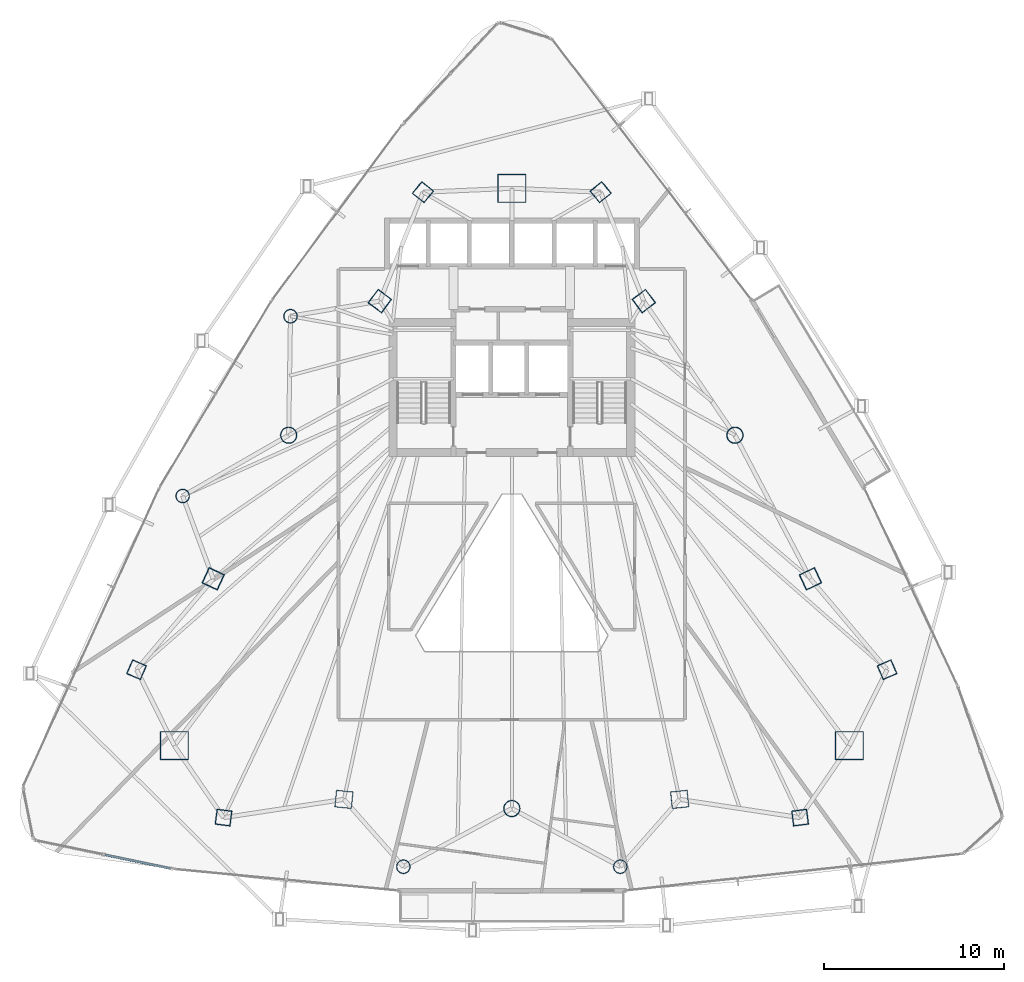
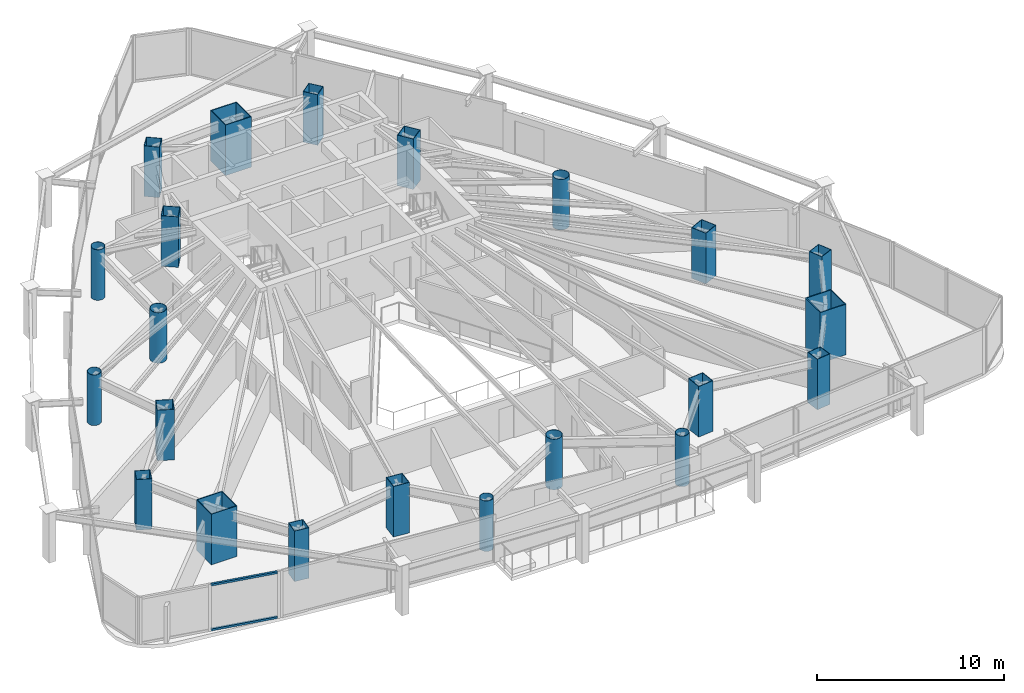
# One storey, part 1 of 33: 22 columns, 2 members, 1 element without a shape of its own.
"""IFC4 building model written with IfcOpenShell, lengths in metres."""

from ifc_helpers import new_model, si_unit, direction, frame, origin, origin_2d, place, context, subcontext, project, spatial, hollow_rectangle, hollow_circle, extrude, material, layer, layer_set, material_profile, profile_set, type_object, element, aggregate, save


model = new_model("IFC4")

# Units and contexts
model_context = context("Model", 3, precision=1e-05, world=origin(), true_north=direction((0.0, 1.0)))
body_context = subcontext(model_context, "Body", "Model", "MODEL_VIEW")
ifc_project = project(units=[si_unit("LENGTHUNIT", "METRE"), si_unit("AREAUNIT", "SQUARE_METRE"), si_unit("VOLUMEUNIT", "CUBIC_METRE"), si_unit("PLANEANGLEUNIT", "RADIAN"), si_unit("MASSUNIT", "GRAM", prefix="KILO")], contexts=[model_context])

# Site, building, storey
site_placement = place(None, origin())
site = spatial("IfcSite", under=ifc_project, at=site_placement, CompositionType="ELEMENT")
building_placement = place(site_placement, origin())
building = spatial("IfcBuilding", under=site, at=building_placement, Name="Orvanel Arch Residences", CompositionType="ELEMENT")
storey_placement = place(building_placement, frame((0.0, 0.0, 87.35009765625)))
storey = spatial("IfcBuildingStorey", under=building, at=storey_placement, Name="L24", CompositionType="ELEMENT", Elevation=87.35009765625)

# Columns
ifc_material_1 = material(Name="Structural steel AS/NZS 1163 C450L0 (Grade 450)", Category="steel")
ifc_material_profile_1 = material_profile(ifc_material_1, hollow_circle(Radius=0.381103515625, WallThickness=0.02197265625, at=origin_2d()), Name="CHS762x22")
ifc_profile_set_1 = profile_set([ifc_material_profile_1], Name="Structural steel AS/NZS 1163 C450L0 (Grade 450)")
column_type_1 = type_object("IfcColumnType", Name="CC-762", PredefinedType="COLUMN", material=ifc_profile_set_1)
for number, where, z_axis, x_axis, name in (
    (1, (20.669921875, 34.27099609375, 0.0), (0.0, 0.0, 1.0), (1.0, 0.0, 0.0), "L24 Low-Rise Buttress Tube Column 01"),
    (2, (14.662109375, 24.256103515625, 0.0), (0.0, 0.0, 1.0), (1.0, 0.0, 0.0), "L24 Low-Rise Buttress Tube Column 02"),
    (3, (26.9580078125, 3.60498046875, 0.0), (0.0, 0.0, 1.0), (1.0, 0.0, 0.0), "L24 Low-Rise Buttress Tube Column 03"),
    (4, (39.0419921875, 3.60498046875, 0.0), (0.0, 0.0, 1.0), (1.0, 0.0, 0.0), "L24 Low-Rise Buttress Tube Column 04"),
):
    element("IfcColumn", number, at=place(storey_placement, frame(where, z_axis=z_axis, x_axis=x_axis)), inside=storey, type_object=column_type_1, Name=name, PredefinedType="COLUMN", context=body_context, shape_type="SweptSolid", body=[
        extrude(hollow_circle(Radius=0.381103515625, WallThickness=0.02197265625, at=origin_2d()), origin(), (0.0, 0.0, 1.0), 3.2998046875),
    ])
ifc_material_profile_2 = material_profile(ifc_material_1, hollow_circle(Radius=0.45703125, WallThickness=0.02490234375, at=origin_2d()), Name="CHS914x25")
ifc_profile_set_2 = profile_set([ifc_material_profile_2], Name="Structural steel AS/NZS 1163 C450L0 (Grade 450)")
column_type_2 = type_object("IfcColumnType", Name="CC-914", PredefinedType="COLUMN", material=ifc_profile_set_2)
for number, where, z_axis, x_axis, name in (
    (5, (20.569091796875, 27.64111328125, 0.0), (0.0, 0.0, 1.0), (1.0, 0.0, 0.0), "L24 High-Rise Tube Column 02"),
    (6, (33.0, 6.843994140625, 0.0), (0.0, 0.0, 1.0), (1.0, 0.0, 0.0), "L24 High-Rise Tube Column 05"),
    (7, (45.430908203125, 27.64111328125, 0.0), (0.0, 0.0, 1.0), (1.0, 0.0, 0.0), "L24 High-Rise Tube Column 08"),
):
    element("IfcColumn", number, at=place(storey_placement, frame(where, z_axis=z_axis, x_axis=x_axis)), inside=storey, type_object=column_type_2, Name=name, PredefinedType="COLUMN", context=body_context, shape_type="SweptSolid", body=[
        extrude(hollow_circle(Radius=0.45703125, WallThickness=0.02490234375, at=origin_2d()), origin(), (0.0, 0.0, 1.0), 3.2998046875),
    ])
ifc_material_2 = material(Name="Structural steel AS/NZS 3678 Grade 450", Category="steel")
ifc_material_profile_3 = material_profile(ifc_material_2, hollow_rectangle(XDim=1.60009765625, YDim=1.60009765625, WallThickness=0.050048828125, at=origin_2d()), Name="BOX1600x1600x50")
ifc_profile_set_3 = profile_set([ifc_material_profile_3], Name="Structural steel AS/NZS 3678 Grade 450")
column_type_3 = type_object("IfcColumnType", Name="MC-1600", PredefinedType="COLUMN", material=ifc_profile_set_3)
for number, where, z_axis, x_axis, name in (
    (8, (33.0, 41.39794921875, 0.0), (0.0, 0.0, 1.0), (1.0, 0.0, 0.0), "L24 Corner Mega-Column 1"),
    (9, (14.198974609375, 10.35107421875, 0.0), (0.0, 0.0, 1.0), (1.0, 0.0, 0.0), "L24 Corner Mega-Column 2"),
    (10, (51.801025390625, 10.35107421875, 0.0), (0.0, 0.0, 1.0), (1.0, 0.0, 0.0), "L24 Corner Mega-Column 3"),
):
    element("IfcColumn", number, at=place(storey_placement, frame(where, z_axis=z_axis, x_axis=x_axis)), inside=storey, type_object=column_type_3, Name=name, PredefinedType="COLUMN", context=body_context, shape_type="SweptSolid", body=[
        extrude(hollow_rectangle(XDim=1.60009765625, YDim=1.60009765625, WallThickness=0.050048828125, at=origin_2d()), origin(), (0.0, 0.0, 1.0), 3.2998046875),
    ])
ifc_material_3 = material(Name="Structural steel AS/NZS 3678 Grade 350", Category="steel")
ifc_material_profile_4 = material_profile(ifc_material_3, hollow_rectangle(XDim=0.85009765625, YDim=0.85009765625, WallThickness=0.028076171875, at=origin_2d()), Name="BOX850x850x28")
ifc_profile_set_4 = profile_set([ifc_material_profile_4], Name="Structural steel AS/NZS 3678 Grade 350")
column_type_4 = type_object("IfcColumnType", Name="TC-850", PredefinedType="COLUMN", material=ifc_profile_set_4)
for number, where, z_axis, x_axis, name in (
    (11, (28.050048828125, 41.177978515625, 0.0), (0.0, 0.0, 1.0), (0.623879596709, 0.781520472419, 0.0), "L24 Mid-Rise Buttress Tube Column 01"),
    (12, (12.094970703125, 14.580078125, 0.0), (0.0, 0.0, 1.0), (0.397147890635, 0.917754625684, 0.0), "L24 Mid-Rise Buttress Tube Column 02"),
    (13, (16.94091796875, 6.339111328125, 0.0), (0.0, 0.0, 1.0), (-0.99189444259, 0.127064608601, 0.0), "L24 Mid-Rise Buttress Tube Column 03"),
    (14, (49.05908203125, 6.339111328125, 0.0), (0.0, 0.0, 1.0), (0.99189444259, 0.127064608601, 0.0), "L24 Mid-Rise Buttress Tube Column 04"),
    (15, (53.905029296875, 14.580078125, 0.0), (0.0, 0.0, 1.0), (-0.397147890635, 0.917754625684, 0.0), "L24 Mid-Rise Buttress Tube Column 05"),
    (16, (37.949951171875, 41.177978515625, 0.0), (0.0, 0.0, 1.0), (-0.623879596709, 0.781520472419, 0.0), "L24 Mid-Rise Buttress Tube Column 06"),
):
    element("IfcColumn", number, at=place(storey_placement, frame(where, z_axis=z_axis, x_axis=x_axis)), inside=storey, type_object=column_type_4, Name=name, PredefinedType="COLUMN", context=body_context, shape_type="SweptSolid", body=[
        extrude(hollow_rectangle(XDim=0.85009765625, YDim=0.85009765625, WallThickness=0.028076171875, at=origin_2d()), origin(), (0.0, 0.0, 1.0), 3.2998046875),
    ])
ifc_material_profile_5 = material_profile(ifc_material_3, hollow_rectangle(XDim=0.949951171875, YDim=0.949951171875, WallThickness=0.031982421875, at=origin_2d()), Name="BOX950x950x32")
ifc_profile_set_5 = profile_set([ifc_material_profile_5], Name="Structural steel AS/NZS 3678 Grade 350")
column_type_5 = type_object("IfcColumnType", Name="TC-950", PredefinedType="COLUMN", material=ifc_profile_set_5)
for number, where, z_axis, x_axis, name in (
    (17, (25.64794921875, 35.113037109375, 0.0), (0.0, 0.0, 1.0), (0.600420225326, 0.799684658487, 0.0), "L24 High-Rise Tube Column 01"),
    (18, (16.366943359375, 19.64208984375, 0.0), (0.0, 0.0, 1.0), (0.422618261741, 0.906307787037, 0.0), "L24 High-Rise Tube Column 03"),
    (19, (23.64892578125, 7.35498046875, 0.0), (0.0, 0.0, 1.0), (-0.994880708829, 0.101056297183, 0.0), "L24 High-Rise Tube Column 04"),
    (20, (42.35107421875, 7.35498046875, 0.0), (0.0, 0.0, 1.0), (0.994880708829, 0.101056297183, 0.0), "L24 High-Rise Tube Column 06"),
    (21, (49.633056640625, 19.64208984375, 0.0), (0.0, 0.0, 1.0), (-0.422618261741, 0.906307787037, 0.0), "L24 High-Rise Tube Column 07"),
    (22, (40.35205078125, 35.113037109375, 0.0), (0.0, 0.0, 1.0), (-0.600420225326, 0.799684658487, 0.0), "L24 High-Rise Tube Column 09"),
):
    element("IfcColumn", number, at=place(storey_placement, frame(where, z_axis=z_axis, x_axis=x_axis)), inside=storey, type_object=column_type_5, Name=name, PredefinedType="COLUMN", context=body_context, shape_type="SweptSolid", body=[
        extrude(hollow_rectangle(XDim=0.949951171875, YDim=0.949951171875, WallThickness=0.031982421875, at=origin_2d()), origin(), (0.0, 0.0, 1.0), 3.2998046875),
    ])

# Curtain wall, members
ifc_material_4 = material(Name="Bronze-anodised aluminium AA6063-T6", Category="aluminium")
ifc_layer = layer(ifc_material_4, 0.18994140625)
ifc_layer_set = layer_set([ifc_layer], Name="Bronze-anodised aluminium AA6063-T6")
curtain_wall_type = type_object("IfcCurtainWallType", Name="CW5-CRN-SYS", PredefinedType="NOTDEFINED", material=ifc_layer_set)
curtain_wall_placement = place(storey_placement, origin())
curtain_wall = element("IfcCurtainWall", 23, at=curtain_wall_placement, inside=storey, type_object=curtain_wall_type, Name="L24 CW5-CRN-SYS Unitised Curtain Wall", PredefinedType="NOTDEFINED")
ifc_material_profile_6 = material_profile(ifc_material_4, hollow_rectangle(XDim=0.1298828125, YDim=0.1298828125, WallThickness=0.00439453125, at=origin_2d()), Name="ALU130x130x4.5")
ifc_profile_set_6 = profile_set([ifc_material_profile_6], Name="Bronze-anodised aluminium AA6063-T6")
member_type = type_object("IfcMemberType", Name="TRN-130x130", PredefinedType="USERDEFINED", material=ifc_profile_set_6)
member_1_placement = place(storey_placement, frame((10.324951171875, 4.271728515625, 0.06494140625), z_axis=(0.978904321121, -0.20431918679, 0.0), x_axis=(0.20431918679, 0.978904321121, 0.0)))
member_1 = element("IfcMember", 24, at=member_1_placement, type_object=member_type, Name="CW-S5 transom 2.1", ObjectType="TRANSOM", PredefinedType="USERDEFINED", context=body_context, shape_type="SweptSolid", body=[
    extrude(hollow_rectangle(XDim=0.1298828125, YDim=0.1298828125, WallThickness=0.00439453125, at=origin_2d()), origin(), (0.0, 0.0, 1.0), 3.739990234375),
])
member_2_placement = place(storey_placement, frame((10.324951171875, 4.271728515625, 2.994873046875), z_axis=(0.978904321121, -0.20431918679, 0.0), x_axis=(0.20431918679, 0.978904321121, 0.0)))
member_2 = element("IfcMember", 25, at=member_2_placement, type_object=member_type, Name="CW-S5 transom 2.2", ObjectType="TRANSOM", PredefinedType="USERDEFINED", context=body_context, shape_type="SweptSolid", body=[
    extrude(hollow_rectangle(XDim=0.1298828125, YDim=0.1298828125, WallThickness=0.00439453125, at=origin_2d()), origin(), (0.0, 0.0, 1.0), 3.739990234375),
])
aggregate(curtain_wall, [member_1, member_2])

save(model, "model.ifc")
